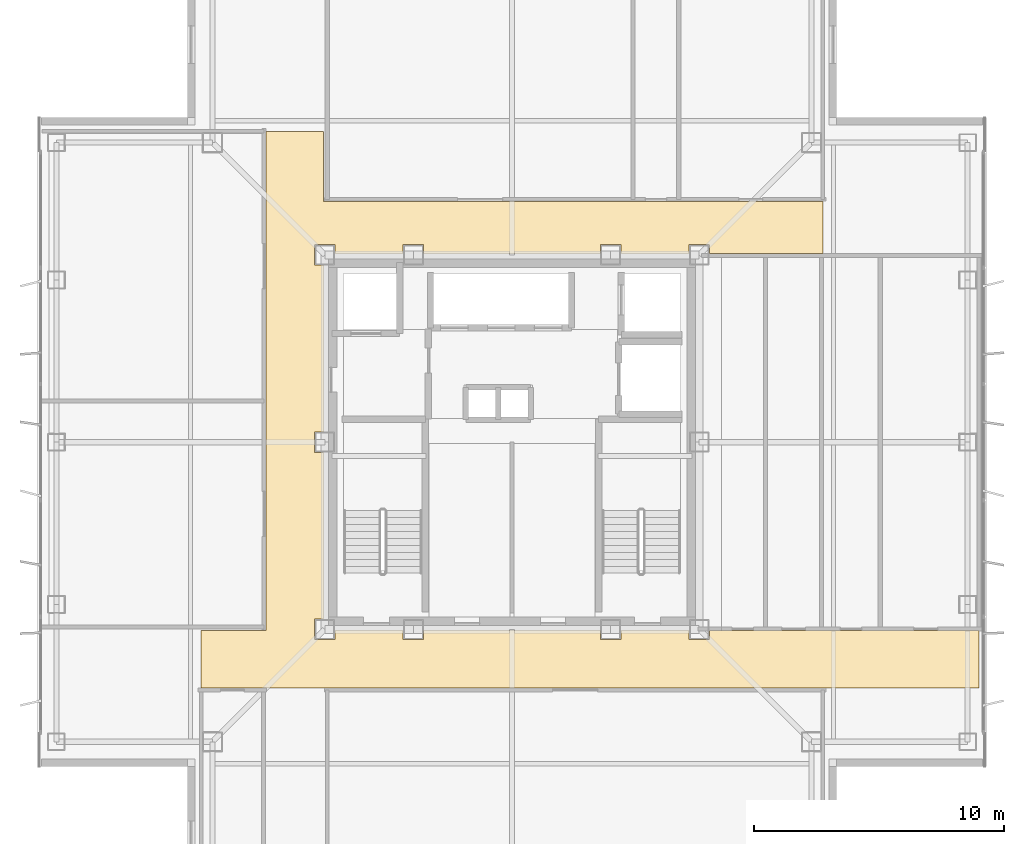
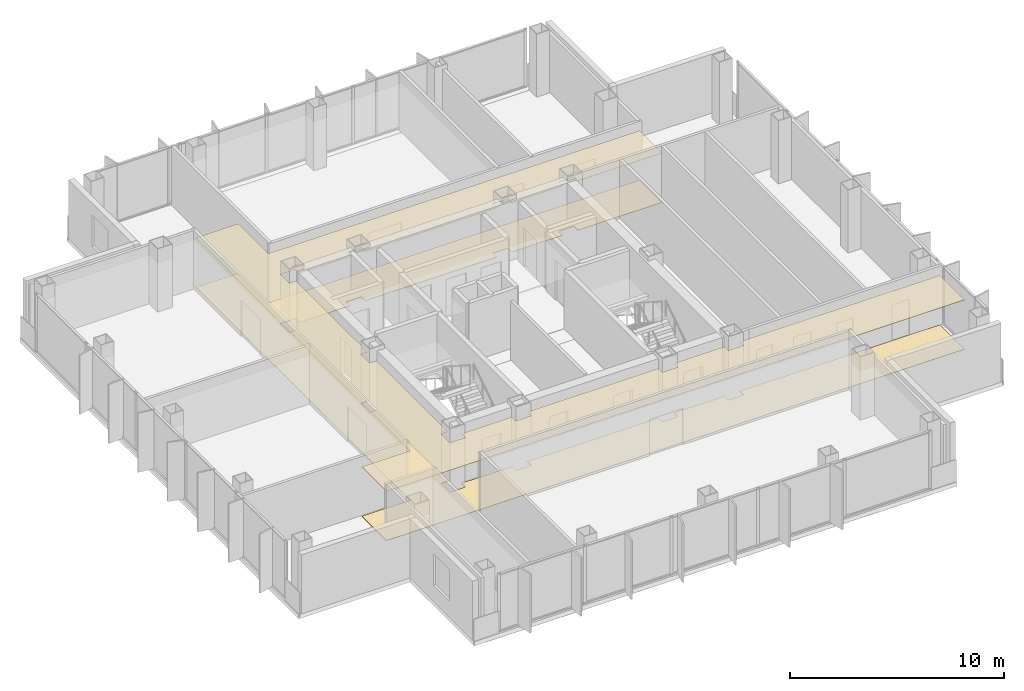
# One storey, part 13 of 15: 2 coverings.
"""IFC4 building model written with IfcOpenShell, lengths in metres."""

from ifc_helpers import new_model, si_unit, direction, frame, origin, place, context, subcontext, project, spatial, polyline, outline, extrude, material, layer, layer_set, type_object, element, save


model = new_model("IFC4")

# Units and contexts
model_context = context("Model", 3, precision=1e-05, world=origin(), true_north=direction((0.0, 1.0)))
body_context = subcontext(model_context, "Body", "Model", "MODEL_VIEW")
ifc_project = project(units=[si_unit("LENGTHUNIT", "METRE"), si_unit("AREAUNIT", "SQUARE_METRE"), si_unit("VOLUMEUNIT", "CUBIC_METRE"), si_unit("PLANEANGLEUNIT", "RADIAN"), si_unit("MASSUNIT", "GRAM", prefix="KILO")], contexts=[model_context])

# Site, building, storey
site_placement = place(None, origin())
site = spatial("IfcSite", under=ifc_project, at=site_placement, CompositionType="ELEMENT")
building_placement = place(site_placement, origin())
building = spatial("IfcBuilding", under=site, at=building_placement, Name="Trevonay Congress Spire", CompositionType="ELEMENT")
storey_placement = place(building_placement, frame((0.0, 0.0, 261.199951171875)))
storey = spatial("IfcBuildingStorey", under=building, at=storey_placement, Name="L68", CompositionType="ELEMENT", Elevation=261.199951171875)

# Coverings
ifc_material_1 = material(Name="Acoustic Mineral Fibre Board", Category="gypsum")
ifc_layer_1 = layer(ifc_material_1, 0.02490234375, Name="Acoustic Mineral Fibre Board")
ifc_layer_set_1 = layer_set([ifc_layer_1], Name="Acoustic Mineral Fibre Board")
covering_type_1 = type_object("IfcCoveringType", Name="COV-CEIL-ACOUSTIC", PredefinedType="CEILING", material=ifc_layer_set_1)
covering_1_placement = place(storey_placement, frame((0.0, 0.0, 2.81005859375)))
element("IfcCovering", 1, at=covering_1_placement, inside=storey, type_object=covering_type_1, Name="L68 Cruciform Boulevard Corridor acoustic suspended ceiling", PredefinedType="CEILING", context=body_context, shape_type="SweptSolid", body=[
    extrude(outline(polyline([(18.699951171875, -7.550048828125), (18.699951171875, -9.85009765625), (-12.449951171875, -9.85009765625), (-12.449951171875, -7.550048828125), (-9.85009765625, -7.550048828125), (-9.85009765625, 12.449951171875), (-7.550048828125, 12.449951171875), (-7.550048828125, 9.64990234375), (12.449951171875, 9.64990234375), (12.449951171875, 7.550048828125), (7.909912109375, 7.550048828125), (7.909912109375, 7.909912109375), (7.090087890625, 7.909912109375), (7.090087890625, 7.550048828125), (4.360107421875, 7.550048828125), (4.360107421875, 7.909912109375), (3.5400390625, 7.909912109375), (3.5400390625, 7.550048828125), (-3.5400390625, 7.550048828125), (-3.5400390625, 7.909912109375), (-4.360107421875, 7.909912109375), (-4.360107421875, 7.550048828125), (-7.090087890625, 7.550048828125), (-7.090087890625, 7.909912109375), (-7.909912109375, 7.909912109375), (-7.909912109375, 7.090087890625), (-7.550048828125, 7.090087890625), (-7.550048828125, 0.409912109375), (-7.909912109375, 0.409912109375), (-7.909912109375, -0.409912109375), (-7.550048828125, -0.409912109375), (-7.550048828125, -7.090087890625), (-7.909912109375, -7.090087890625), (-7.909912109375, -7.909912109375), (-7.090087890625, -7.909912109375), (-7.090087890625, -7.550048828125), (-4.360107421875, -7.550048828125), (-4.360107421875, -7.909912109375), (-3.5400390625, -7.909912109375), (-3.5400390625, -7.550048828125), (3.5400390625, -7.550048828125), (3.5400390625, -7.909912109375), (4.360107421875, -7.909912109375), (4.360107421875, -7.550048828125), (7.090087890625, -7.550048828125), (7.090087890625, -7.909912109375), (7.909912109375, -7.909912109375), (7.909912109375, -7.550048828125), (18.699951171875, -7.550048828125)])), origin(), (0.0, 0.0, 1.0), 0.02490234375),
])
ifc_material_2 = material(Name="Polished Granite Floor Tile", Category="masonry")
ifc_layer_2 = layer(ifc_material_2, 0.02001953125, Name="Polished Granite Floor Tile")
ifc_layer_set_2 = layer_set([ifc_layer_2], Name="Polished Granite Floor Tile")
covering_type_2 = type_object("IfcCoveringType", Name="COV-FLOOR-STONE", PredefinedType="FLOORING", material=ifc_layer_set_2)
covering_2_placement = place(storey_placement, origin())
element("IfcCovering", 2, at=covering_2_placement, inside=storey, type_object=covering_type_2, Name="L68 Cruciform Boulevard Corridor floor finish", PredefinedType="FLOORING", context=body_context, shape_type="SweptSolid", body=[
    extrude(outline(polyline([(18.699951171875, -7.550048828125), (18.699951171875, -9.85009765625), (-12.449951171875, -9.85009765625), (-12.449951171875, -7.550048828125), (-9.85009765625, -7.550048828125), (-9.85009765625, 12.449951171875), (-7.550048828125, 12.449951171875), (-7.550048828125, 9.64990234375), (12.449951171875, 9.64990234375), (12.449951171875, 7.550048828125), (7.909912109375, 7.550048828125), (7.909912109375, 7.909912109375), (7.090087890625, 7.909912109375), (7.090087890625, 7.550048828125), (4.360107421875, 7.550048828125), (4.360107421875, 7.909912109375), (3.5400390625, 7.909912109375), (3.5400390625, 7.550048828125), (-3.5400390625, 7.550048828125), (-3.5400390625, 7.909912109375), (-4.360107421875, 7.909912109375), (-4.360107421875, 7.550048828125), (-7.090087890625, 7.550048828125), (-7.090087890625, 7.909912109375), (-7.909912109375, 7.909912109375), (-7.909912109375, 7.090087890625), (-7.550048828125, 7.090087890625), (-7.550048828125, 0.409912109375), (-7.909912109375, 0.409912109375), (-7.909912109375, -0.409912109375), (-7.550048828125, -0.409912109375), (-7.550048828125, -7.090087890625), (-7.909912109375, -7.090087890625), (-7.909912109375, -7.909912109375), (-7.090087890625, -7.909912109375), (-7.090087890625, -7.550048828125), (-4.360107421875, -7.550048828125), (-4.360107421875, -7.909912109375), (-3.5400390625, -7.909912109375), (-3.5400390625, -7.550048828125), (3.5400390625, -7.550048828125), (3.5400390625, -7.909912109375), (4.360107421875, -7.909912109375), (4.360107421875, -7.550048828125), (7.090087890625, -7.550048828125), (7.090087890625, -7.909912109375), (7.909912109375, -7.909912109375), (7.909912109375, -7.550048828125), (18.699951171875, -7.550048828125)])), origin(), (0.0, 0.0, 1.0), 0.02001953125),
])

save(model, "model.ifc")
